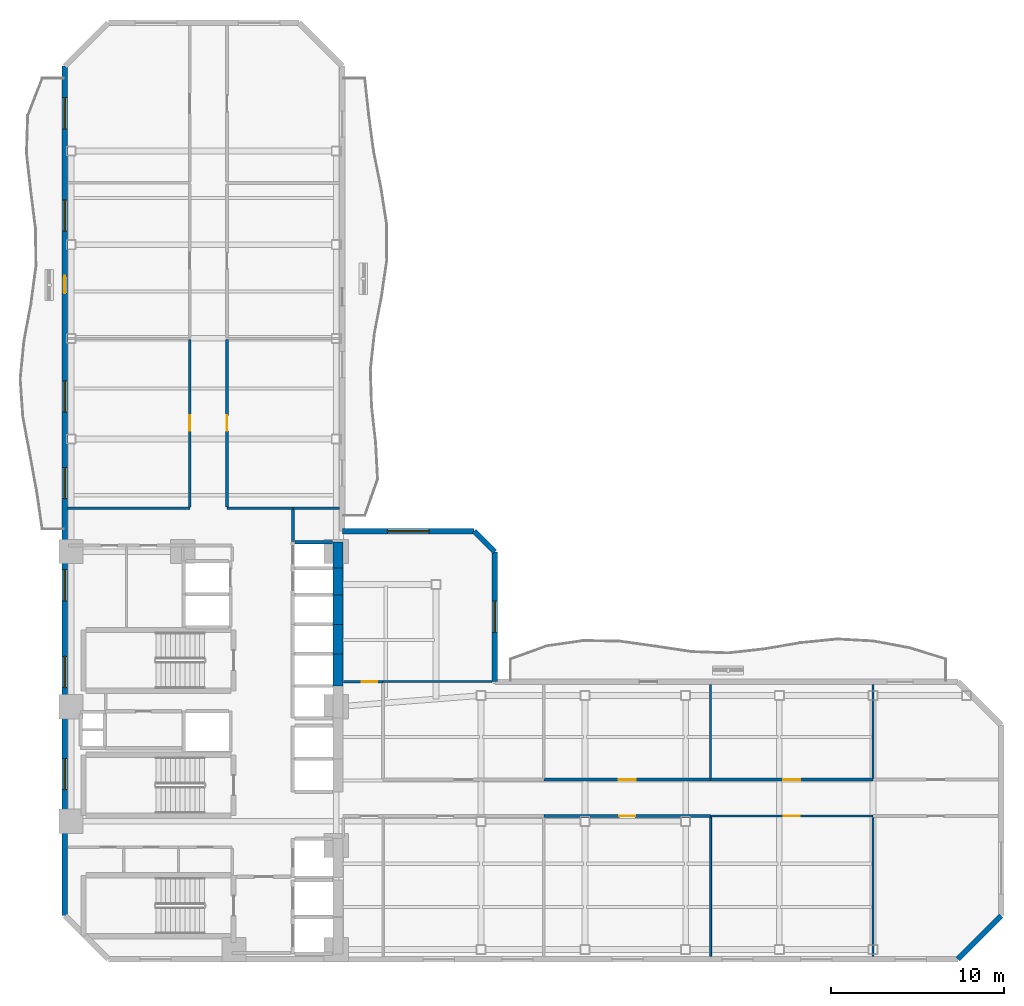
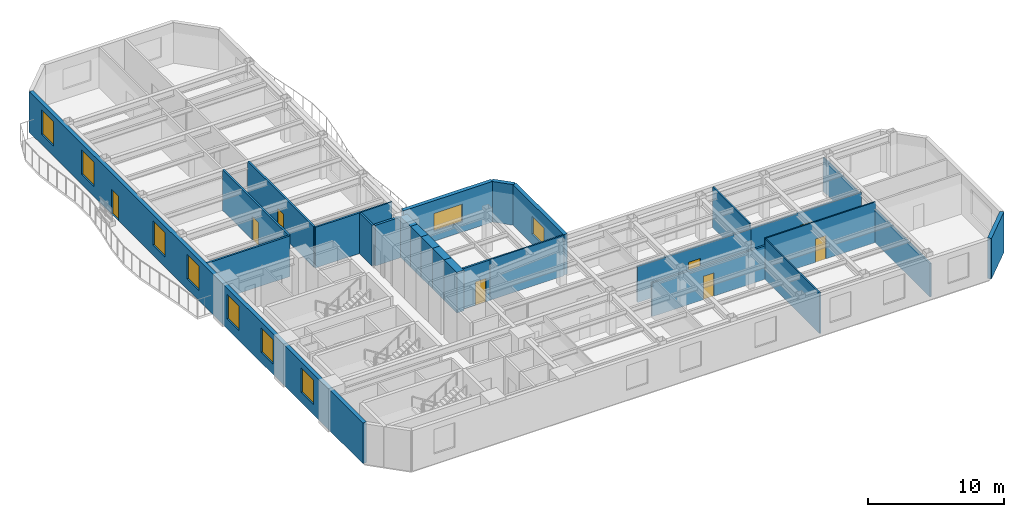
# One storey, part 5 of 10: 27 walls, 9 windows, 8 doors, 17 openings.
"""IFC4 building model written with IfcOpenShell, lengths in metres."""

from ifc_helpers import new_model, si_unit, direction, frame, frame_2d, origin, place, context, subcontext, project, spatial, rectangle, extrude, material, layer, layer_set, type_object, element, fill, save


model = new_model("IFC4")

# Units and contexts
model_context = context("Model", 3, precision=1e-05, world=origin(), true_north=direction((0.0, 1.0)))
body_context = subcontext(model_context, "Body", "Model", "MODEL_VIEW")
ifc_project = project(units=[si_unit("LENGTHUNIT", "METRE"), si_unit("AREAUNIT", "SQUARE_METRE"), si_unit("VOLUMEUNIT", "CUBIC_METRE"), si_unit("PLANEANGLEUNIT", "RADIAN"), si_unit("MASSUNIT", "GRAM", prefix="KILO")], contexts=[model_context])

# Site, building, storey
site_placement = place(None, origin())
site = spatial("IfcSite", under=ifc_project, at=site_placement, CompositionType="ELEMENT")
building_placement = place(site_placement, origin())
building = spatial("IfcBuilding", under=site, at=building_placement, Name="Mawjaban Terraces University", CompositionType="ELEMENT")
storey_placement = place(building_placement, frame((0.0, 0.0, 89.5)))
storey = spatial("IfcBuildingStorey", under=building, at=storey_placement, Name="L21", CompositionType="ELEMENT", Elevation=89.5)

# Walls
ifc_material_1 = material(Name="Concrete C70/85", Category="concrete")
ifc_layer_1 = layer(ifc_material_1, 0.60009765625)
ifc_layer_set_1 = layer_set([ifc_layer_1], Name="Concrete C70/85")
wall_type_1 = type_object("IfcWallType", Name="CoreShearWall_600", PredefinedType="SHEAR", material=ifc_layer_set_1)
wall_1_placement = place(storey_placement, frame((37.75, 15.75, 0.0), z_axis=(0.0, 0.0, 1.0), x_axis=(0.0, 1.0, 0.0)))
element("IfcWall", 1, at=wall_1_placement, inside=storey, type_object=wall_type_1, Name="L21 Lift OL-2 Hoistway Wall East", PredefinedType="SHEAR", context=body_context, shape_type="SweptSolid", body=[
    extrude(rectangle(XDim=1.85009765625, YDim=0.60009765625, at=frame_2d((0.925048828125, 0.0))), origin(), (0.0, 0.0, 1.0), 3.639892578125),
])
for number, where, z_axis, x_axis, name in (
    (2, (37.75, 17.60009765625, 0.0), (0.0, 0.0, 1.0), (0.0, 1.0, 0.0), "L21 Lift PL-M1 Hoistway Wall East"),
    (3, (37.75, 19.300048828125, 0.0), (0.0, 0.0, 1.0), (0.0, 1.0, 0.0), "L21 Lift PL-M2 Hoistway Wall East"),
):
    element("IfcWall", number, at=place(storey_placement, frame(where, z_axis=z_axis, x_axis=x_axis)), inside=storey, type_object=wall_type_1, Name=name, PredefinedType="SHEAR", context=body_context, shape_type="SweptSolid", body=[
        extrude(rectangle(XDim=1.699951171875, YDim=0.60009765625, at=frame_2d((0.85009765625, 0.0))), origin(), (0.0, 0.0, 1.0), 3.639892578125),
    ])
wall_2_placement = place(storey_placement, frame((37.75, 21.0, 0.0), z_axis=(0.0, 0.0, 1.0), x_axis=(0.0, 1.0, 0.0)))
element("IfcWall", 4, at=wall_2_placement, inside=storey, type_object=wall_type_1, Name="L21 Lift PL-L1 Hoistway Wall East", PredefinedType="SHEAR", context=body_context, shape_type="SweptSolid", body=[
    extrude(rectangle(XDim=1.550048828125, YDim=0.60009765625, at=frame_2d((0.77490234375, 0.0))), origin(), (0.0, 0.0, 1.0), 3.639892578125),
])
wall_3_placement = place(storey_placement, frame((37.75, 22.550048828125, 0.0), z_axis=(0.0, 0.0, 1.0), x_axis=(0.0, 1.0, 0.0)))
element("IfcWall", 5, at=wall_3_placement, inside=storey, type_object=wall_type_1, Name="L21 Lift PL-L2 Hoistway Wall East", PredefinedType="SHEAR", context=body_context, shape_type="SweptSolid", body=[
    extrude(rectangle(XDim=1.5, YDim=0.60009765625, at=frame_2d((0.75, 0.0))), origin(), (0.0, 0.0, 1.0), 3.639892578125),
])
ifc_material_2 = material(Name="Fire-rated gypsum board on steel stud", Category="steel")
ifc_layer_2 = layer(ifc_material_2, 0.159912109375)
ifc_layer_set_2 = layer_set([ifc_layer_2], Name="Fire-rated gypsum board on steel stud")
wall_type_2 = type_object("IfcWallType", Name="CorridorPartition_160", PredefinedType="PARTITIONING", material=ifc_layer_set_2)
wall_4_placement = place(storey_placement, frame((29.199951171875, 26.0, 0.0), z_axis=(0.0, 0.0, 1.0), x_axis=(-1.0, 0.0, 0.0)))
element("IfcWall", 6, at=wall_4_placement, inside=storey, type_object=wall_type_2, Name="L21 North Core Cross-Corridor Partition 9", PredefinedType="PARTITIONING", context=body_context, shape_type="SweptSolid", body=[
    extrude(rectangle(XDim=7.044921875, YDim=0.159912109375, at=frame_2d((3.5224609375, 0.0))), origin(), (0.0, 0.0, 1.0), 3.639892578125),
])
wall_5_placement = place(storey_placement, frame((35.14990234375, 26.0, 0.0), z_axis=(0.0, 0.0, 1.0), x_axis=(-1.0, 0.0, 0.0)))
element("IfcWall", 7, at=wall_5_placement, inside=storey, type_object=wall_type_2, Name="L21 North Core Cross-Corridor Partition 14", PredefinedType="PARTITIONING", context=body_context, shape_type="SweptSolid", body=[
    extrude(rectangle(XDim=3.7998046875, YDim=0.159912109375, at=frame_2d((1.89990234375, 0.0))), origin(), (0.0, 0.0, 1.0), 3.639892578125),
])

# Wall, opening, door
wall_6_placement = place(storey_placement, frame((40.35009765625, 16.0, 0.0), z_axis=(0.0, 0.0, 1.0), x_axis=(-1.0, 0.0, 0.0)))
wall_6 = element("IfcWall", 8, at=wall_6_placement, inside=storey, type_object=wall_type_2, Name="L21 East Academic Corridor Vestibule Partition 21", PredefinedType="PARTITIONING", context=body_context, shape_type="SweptSolid", body=[
    extrude(rectangle(XDim=2.27001953125, YDim=0.159912109375, at=frame_2d((1.135009765625, 0.0))), origin(), (0.0, 0.0, 1.0), 3.639892578125),
])
opening_1_placement = place(wall_6_placement, frame((0.3349609375, 0.0, 0.0)))
opening_1 = element("IfcOpeningElement", 9, at=opening_1_placement, cuts=wall_6, Name="Opening ID-090", PredefinedType="OPENING", context=body_context, shape_type="SweptSolid", body=[
    extrude(rectangle(XDim=0.89990234375, YDim=2.10009765625, at=frame_2d((0.449951171875, 1.050048828125))), frame((0.0, 0.08984375, 0.0), z_axis=(0.0, -1.0, 0.0), x_axis=(1.0, 0.0, 0.0)), (0.0, 0.0, 1.0), 0.179931640625),
])
ifc_material_3 = material(Name="Powder-coated steel frame and solid acoustic timber leaf", Category="steel")
door_type_1 = type_object("IfcDoorType", Name="OfficeDoor_900x2100", OperationType="NOTDEFINED", PredefinedType="DOOR", material=ifc_material_3)
door_1_placement = place(opening_1_placement, origin())
door_1 = element("IfcDoor", 10, at=door_1_placement, inside=storey, type_object=door_type_1, Name="L21 Terrace Collaborative Study Room Door", OperationType="SINGLE_SWING_RIGHT", OverallHeight=2.10009765625, OverallWidth=0.89990234375, PredefinedType="DOOR", context=body_context, shape_type="SweptSolid", body=[
    extrude(rectangle(XDim=0.89990234375, YDim=2.10009765625, at=frame_2d((0.449951171875, 1.050048828125))), frame((0.0, 0.02490234375, 0.0), z_axis=(0.0, -1.0, 0.0), x_axis=(1.0, 0.0, 0.0)), (0.0, 0.0, 1.0), 0.050048828125),
])
fill(opening_1, door_1)

wall_7_placement = place(storey_placement, frame((49.6201171875, 8.25, 0.0), z_axis=(0.0, 0.0, 1.0), x_axis=(1.0, 0.0, 0.0)))
wall_7 = element("IfcWall", 11, at=wall_7_placement, inside=storey, type_object=wall_type_2, Name="L21 East Academic Spine Corridor Partition 22", PredefinedType="PARTITIONING", context=body_context, shape_type="SweptSolid", body=[
    extrude(rectangle(XDim=9.619873046875, YDim=0.159912109375, at=frame_2d((4.81005859375, 0.0))), origin(), (0.0, 0.0, 1.0), 3.0048828125),
])
opening_2_placement = place(wall_7_placement, frame((4.360107421875, 0.0, 0.0)))
opening_2 = element("IfcOpeningElement", 12, at=opening_2_placement, cuts=wall_7, Name="Opening ID-090", PredefinedType="OPENING", context=body_context, shape_type="SweptSolid", body=[
    extrude(rectangle(XDim=0.89990234375, YDim=2.10009765625, at=frame_2d((0.449951171875, 1.050048828125))), frame((0.0, 0.08984375, 0.0), z_axis=(0.0, -1.0, 0.0), x_axis=(1.0, 0.0, 0.0)), (0.0, 0.0, 1.0), 0.179931640625),
])
door_2_placement = place(opening_2_placement, origin())
door_2 = element("IfcDoor", 13, at=door_2_placement, inside=storey, type_object=door_type_1, Name="L21 Seminar Room 4 Door", OperationType="SINGLE_SWING_RIGHT", OverallHeight=2.10009765625, OverallWidth=0.89990234375, PredefinedType="DOOR", context=body_context, shape_type="SweptSolid", body=[
    extrude(rectangle(XDim=0.89990234375, YDim=2.10009765625, at=frame_2d((0.449951171875, 1.050048828125))), frame((0.0, 0.02490234375, 0.0), z_axis=(0.0, -1.0, 0.0), x_axis=(1.0, 0.0, 0.0)), (0.0, 0.0, 1.0), 0.050048828125),
])
fill(opening_2, door_2)

wall_8_placement = place(storey_placement, frame((59.239990234375, 10.35009765625, 0.0), z_axis=(0.0, 0.0, 1.0), x_axis=(-1.0, 0.0, 0.0)))
wall_8 = element("IfcWall", 14, at=wall_8_placement, inside=storey, type_object=wall_type_2, Name="L21 East Academic Spine Corridor Partition 25", PredefinedType="PARTITIONING", context=body_context, shape_type="SweptSolid", body=[
    extrude(rectangle(XDim=9.619873046875, YDim=0.159912109375, at=frame_2d((4.81005859375, 0.0))), origin(), (0.0, 0.0, 1.0), 3.22705078125),
])
opening_3_placement = place(wall_8_placement, frame((4.31005859375, 0.0, 0.0)))
opening_3 = element("IfcOpeningElement", 15, at=opening_3_placement, cuts=wall_8, Name="Opening ID-100", PredefinedType="OPENING", context=body_context, shape_type="SweptSolid", body=[
    extrude(rectangle(XDim=1.0, YDim=2.10009765625, at=frame_2d((0.5, 1.050048828125))), frame((0.0, 0.08984375, 0.0), z_axis=(0.0, -1.0, 0.0), x_axis=(1.0, 0.0, 0.0)), (0.0, 0.0, 1.0), 0.179931640625),
])
door_type_2 = type_object("IfcDoorType", Name="ClassroomDoor_1000x2100", OperationType="NOTDEFINED", PredefinedType="DOOR", material=ifc_material_3)
door_3_placement = place(opening_3_placement, origin())
door_3 = element("IfcDoor", 16, at=door_3_placement, inside=storey, type_object=door_type_2, Name="L21 Tutorial Room 5 Door", OperationType="SINGLE_SWING_LEFT", OverallHeight=2.10009765625, OverallWidth=1.0, PredefinedType="DOOR", context=body_context, shape_type="SweptSolid", body=[
    extrude(rectangle(XDim=1.0, YDim=2.10009765625, at=frame_2d((0.5, 1.050048828125))), frame((0.0, 0.02490234375, 0.0), z_axis=(0.0, -1.0, 0.0), x_axis=(1.0, 0.0, 0.0)), (0.0, 0.0, 1.0), 0.050048828125),
])
fill(opening_3, door_3)

wall_9_placement = place(storey_placement, frame((68.60009765625, 10.35009765625, 0.0), z_axis=(0.0, 0.0, 1.0), x_axis=(-1.0, 0.0, 0.0)))
wall_9 = element("IfcWall", 17, at=wall_9_placement, inside=storey, type_object=wall_type_2, Name="L21 East Academic Spine Corridor Partition 27", PredefinedType="PARTITIONING", context=body_context, shape_type="SweptSolid", body=[
    extrude(rectangle(XDim=9.360107421875, YDim=0.159912109375, at=frame_2d((4.68017578125, 0.0))), origin(), (0.0, 0.0, 1.0), 3.22705078125),
])
opening_4_placement = place(wall_9_placement, frame((4.179931640625, 0.0, 0.0)))
opening_4 = element("IfcOpeningElement", 18, at=opening_4_placement, cuts=wall_9, Name="Opening ID-100", PredefinedType="OPENING", context=body_context, shape_type="SweptSolid", body=[
    extrude(rectangle(XDim=1.0, YDim=2.10009765625, at=frame_2d((0.5, 1.050048828125))), frame((0.0, 0.08984375, 0.0), z_axis=(0.0, -1.0, 0.0), x_axis=(1.0, 0.0, 0.0)), (0.0, 0.0, 1.0), 0.179931640625),
])
door_4_placement = place(opening_4_placement, origin())
door_4 = element("IfcDoor", 19, at=door_4_placement, inside=storey, type_object=door_type_2, Name="L21 Classroom 7 Door", OperationType="SINGLE_SWING_LEFT", OverallHeight=2.10009765625, OverallWidth=1.0, PredefinedType="DOOR", context=body_context, shape_type="SweptSolid", body=[
    extrude(rectangle(XDim=1.0, YDim=2.10009765625, at=frame_2d((0.5, 1.050048828125))), frame((0.0, 0.02490234375, 0.0), z_axis=(0.0, -1.0, 0.0), x_axis=(1.0, 0.0, 0.0)), (0.0, 0.0, 1.0), 0.050048828125),
])
fill(opening_4, door_4)

wall_10_placement = place(storey_placement, frame((29.199951171875, 35.741943359375, 0.0), z_axis=(0.0, 0.0, 1.0), x_axis=(0.0, -1.0, 0.0)))
wall_10 = element("IfcWall", 20, at=wall_10_placement, inside=storey, type_object=wall_type_2, Name="L21 North Academic Spine Corridor Partition 34", PredefinedType="PARTITIONING", context=body_context, shape_type="SweptSolid", body=[
    extrude(rectangle(XDim=9.6669921875, YDim=0.159912109375, at=frame_2d((4.83349609375, 0.0))), origin(), (0.0, 0.0, 1.0), 3.639892578125),
])
opening_5_placement = place(wall_10_placement, frame((4.383056640625, 0.0, 0.0)))
opening_5 = element("IfcOpeningElement", 21, at=opening_5_placement, cuts=wall_10, Name="Opening ID-090", PredefinedType="OPENING", context=body_context, shape_type="SweptSolid", body=[
    extrude(rectangle(XDim=0.89990234375, YDim=2.10009765625, at=frame_2d((0.449951171875, 1.050048828125))), frame((0.0, 0.08984375, 0.0), z_axis=(0.0, -1.0, 0.0), x_axis=(1.0, 0.0, 0.0)), (0.0, 0.0, 1.0), 0.179931640625),
])
door_5_placement = place(opening_5_placement, origin())
door_5 = element("IfcDoor", 22, at=door_5_placement, inside=storey, type_object=door_type_1, Name="L21 Student Tea Pantry 10 Door", OperationType="SINGLE_SWING_RIGHT", OverallHeight=2.10009765625, OverallWidth=0.89990234375, PredefinedType="DOOR", context=body_context, shape_type="SweptSolid", body=[
    extrude(rectangle(XDim=0.89990234375, YDim=2.10009765625, at=frame_2d((0.449951171875, 1.050048828125))), frame((0.0, 0.02490234375, 0.0), z_axis=(0.0, -1.0, 0.0), x_axis=(1.0, 0.0, 0.0)), (0.0, 0.0, 1.0), 0.050048828125),
])
fill(opening_5, door_5)

wall_11_placement = place(storey_placement, frame((31.35009765625, 26.074951171875, 0.0), z_axis=(0.0, 0.0, 1.0), x_axis=(0.0, 1.0, 0.0)))
wall_11 = element("IfcWall", 23, at=wall_11_placement, inside=storey, type_object=wall_type_2, Name="L21 North Academic Spine Corridor Partition 37", PredefinedType="PARTITIONING", context=body_context, shape_type="SweptSolid", body=[
    extrude(rectangle(XDim=9.6669921875, YDim=0.159912109375, at=frame_2d((4.83349609375, 0.0))), origin(), (0.0, 0.0, 1.0), 3.639892578125),
])
opening_6_placement = place(wall_11_placement, frame((4.383056640625, 0.0, 0.0)))
opening_6 = element("IfcOpeningElement", 24, at=opening_6_placement, cuts=wall_11, Name="Opening ID-090", PredefinedType="OPENING", context=body_context, shape_type="SweptSolid", body=[
    extrude(rectangle(XDim=0.89990234375, YDim=2.10009765625, at=frame_2d((0.449951171875, 1.050048828125))), frame((0.0, 0.08984375, 0.0), z_axis=(0.0, -1.0, 0.0), x_axis=(1.0, 0.0, 0.0)), (0.0, 0.0, 1.0), 0.179931640625),
])
door_6_placement = place(opening_6_placement, origin())
door_6 = element("IfcDoor", 25, at=door_6_placement, inside=storey, type_object=door_type_1, Name="L21 Student Tea Pantry 11 Door", OperationType="SINGLE_SWING_LEFT", OverallHeight=2.10009765625, OverallWidth=0.89990234375, PredefinedType="DOOR", context=body_context, shape_type="SweptSolid", body=[
    extrude(rectangle(XDim=0.89990234375, YDim=2.10009765625, at=frame_2d((0.449951171875, 1.050048828125))), frame((0.0, 0.02490234375, 0.0), z_axis=(0.0, -1.0, 0.0), x_axis=(1.0, 0.0, 0.0)), (0.0, 0.0, 1.0), 0.050048828125),
])
fill(opening_6, door_6)

# Walls
wall_12_placement = place(storey_placement, frame((35.14990234375, 24.070068359375, 0.0), z_axis=(0.0, 0.0, 1.0), x_axis=(0.0, 1.0, 0.0)))
element("IfcWall", 26, at=wall_12_placement, inside=storey, type_object=wall_type_2, Name="L21 North Core Cross-Corridor Partition 42", PredefinedType="PARTITIONING", context=body_context, shape_type="SweptSolid", body=[
    extrude(rectangle(XDim=1.85498046875, YDim=0.159912109375, at=frame_2d((0.927490234375, 0.0))), origin(), (0.0, 0.0, 1.0), 3.639892578125),
])
ifc_material_4 = material(Name="Insulated terracotta rainscreen on concrete backup C40/50", Category="masonry")
ifc_layer_3 = layer(ifc_material_4, 0.320068359375)
ifc_layer_set_3 = layer_set([ifc_layer_3], Name="Insulated terracotta rainscreen on concrete backup C40/50")
wall_type_3 = type_object("IfcWallType", Name="ExtTerracottaWall_320", PredefinedType="SOLIDWALL", material=ifc_layer_set_3)
wall_13_placement = place(storey_placement, frame((73.5, 0.0, 0.0), z_axis=(0.0, 0.0, 1.0), x_axis=(0.707106781187, 0.707106781187, 0.0)))
element("IfcWall", 27, at=wall_13_placement, inside=storey, type_object=wall_type_3, Name="L21 Exterior Terracotta Wall 2", PredefinedType="SOLIDWALL", context=body_context, shape_type="SweptSolid", body=[
    extrude(rectangle(XDim=3.53564453125, YDim=0.320068359375, at=frame_2d((1.767822265625, 0.0))), origin(), (0.0, 0.0, 1.0), 3.639892578125),
])

# Wall, opening, window
wall_14_placement = place(storey_placement, frame((46.800048828125, 16.0, 0.0), z_axis=(0.0, 0.0, 1.0), x_axis=(0.0, 1.0, 0.0)))
wall_14 = element("IfcWall", 28, at=wall_14_placement, inside=storey, type_object=wall_type_3, Name="L21 Exterior Terracotta Wall 6", PredefinedType="SOLIDWALL", context=body_context, shape_type="SweptSolid", body=[
    extrude(rectangle(XDim=7.485107421875, YDim=0.320068359375, at=frame_2d((3.74267578125, 0.0))), origin(), (0.0, 0.0, 1.0), 3.639892578125),
])
opening_7_placement = place(wall_14_placement, frame((2.842041015625, 0.0, 0.89990234375)))
opening_7 = element("IfcOpeningElement", 29, at=opening_7_placement, cuts=wall_14, Name="Opening W-03", PredefinedType="OPENING", context=body_context, shape_type="SweptSolid", body=[
    extrude(rectangle(XDim=1.800048828125, YDim=1.60009765625, at=frame_2d((0.89990234375, 0.800048828125))), frame((0.0, 0.169921875, 0.0), z_axis=(0.0, -1.0, 0.0), x_axis=(1.0, 0.0, 0.0)), (0.0, 0.0, 1.0), 0.340087890625),
])
ifc_material_5 = material(Name="Low-E solar-control double glazing in thermally broken aluminium frame", Category="aluminium")
window_type_1 = type_object("IfcWindowType", Name="Win_1800x1600", PartitioningType="SINGLE_PANEL", PredefinedType="WINDOW", material=ifc_material_5)
window_1_placement = place(opening_7_placement, origin())
window_1 = element("IfcWindow", 30, at=window_1_placement, inside=storey, type_object=window_type_1, Name="L21 Facade Window 6.1", OverallHeight=1.60009765625, OverallWidth=1.800048828125, PartitioningType="SINGLE_PANEL", PredefinedType="WINDOW", context=body_context, shape_type="SweptSolid", body=[
    extrude(rectangle(XDim=1.800048828125, YDim=1.60009765625, at=frame_2d((0.89990234375, 0.800048828125))), frame((0.0, 0.030029296875, 0.0), z_axis=(0.0, -1.0, 0.0), x_axis=(1.0, 0.0, 0.0)), (0.0, 0.0, 1.0), 0.06005859375),
])
fill(opening_7, window_1)

# Wall
wall_15_placement = place(storey_placement, frame((46.800048828125, 23.485107421875, 0.0), z_axis=(0.0, 0.0, 1.0), x_axis=(-0.707106781187, 0.707106781187, 0.0)))
element("IfcWall", 31, at=wall_15_placement, inside=storey, type_object=wall_type_3, Name="L21 Exterior Terracotta Wall 7", PredefinedType="SOLIDWALL", context=body_context, shape_type="SweptSolid", body=[
    extrude(rectangle(XDim=1.697021484375, YDim=0.320068359375, at=frame_2d((0.8486328125, 0.0))), origin(), (0.0, 0.0, 1.0), 3.639892578125),
])

# Wall, opening, window
wall_16_placement = place(storey_placement, frame((45.60009765625, 24.68505859375, 0.0), z_axis=(0.0, 0.0, 1.0), x_axis=(-1.0, 0.0, 0.0)))
wall_16 = element("IfcWall", 32, at=wall_16_placement, inside=storey, type_object=wall_type_3, Name="L21 Exterior Terracotta Wall 8", PredefinedType="SOLIDWALL", context=body_context, shape_type="SweptSolid", body=[
    extrude(rectangle(XDim=7.60009765625, YDim=0.320068359375, at=frame_2d((3.800048828125, 0.0))), origin(), (0.0, 0.0, 1.0), 3.639892578125),
])
opening_8_placement = place(wall_16_placement, frame((2.60009765625, 0.0, 0.89990234375)))
opening_8 = element("IfcOpeningElement", 33, at=opening_8_placement, cuts=wall_16, Name="Opening W-05", PredefinedType="OPENING", context=body_context, shape_type="SweptSolid", body=[
    extrude(rectangle(XDim=2.39990234375, YDim=1.60009765625, at=frame_2d((1.199951171875, 0.800048828125))), frame((0.0, 0.169921875, 0.0), z_axis=(0.0, -1.0, 0.0), x_axis=(1.0, 0.0, 0.0)), (0.0, 0.0, 1.0), 0.340087890625),
])
window_type_2 = type_object("IfcWindowType", Name="Win_2400x1600", PartitioningType="SINGLE_PANEL", PredefinedType="WINDOW", material=ifc_material_5)
window_2_placement = place(opening_8_placement, origin())
window_2 = element("IfcWindow", 34, at=window_2_placement, inside=storey, type_object=window_type_2, Name="L21 Facade Window 8.1", OverallHeight=1.60009765625, OverallWidth=2.39990234375, PartitioningType="SINGLE_PANEL", PredefinedType="WINDOW", context=body_context, shape_type="SweptSolid", body=[
    extrude(rectangle(XDim=2.39990234375, YDim=1.60009765625, at=frame_2d((1.199951171875, 0.800048828125))), frame((0.0, 0.030029296875, 0.0), z_axis=(0.0, -1.0, 0.0), x_axis=(1.0, 0.0, 0.0)), (0.0, 0.0, 1.0), 0.06005859375),
])
fill(opening_8, window_2)

# Wall, openings, door, windows
wall_17_placement = place(storey_placement, frame((22.0, 51.5, 0.0), z_axis=(0.0, 0.0, 1.0), x_axis=(0.0, -1.0, 0.0)))
wall_17 = element("IfcWall", 35, at=wall_17_placement, inside=storey, type_object=wall_type_3, Name="L21 Exterior Terracotta Wall 13", PredefinedType="SOLIDWALL", context=body_context, shape_type="SweptSolid", body=[
    extrude(rectangle(XDim=49.0, YDim=0.320068359375, at=frame_2d((24.5, 0.0))), origin(), (0.0, 0.0, 1.0), 3.639892578125),
])
opening_9_placement = place(wall_17_placement, frame((12.10009765625, 0.0, 0.0)))
opening_9 = element("IfcOpeningElement", 36, at=opening_9_placement, cuts=wall_17, Name="Opening BD-100", PredefinedType="OPENING", context=body_context, shape_type="SweptSolid", body=[
    extrude(rectangle(XDim=1.0, YDim=2.199951171875, at=frame_2d((0.5, 1.10009765625))), frame((0.0, 0.169921875, 0.0), z_axis=(0.0, -1.0, 0.0), x_axis=(1.0, 0.0, 0.0)), (0.0, 0.0, 1.0), 0.340087890625),
])
opening_10_placement = place(wall_17_placement, frame((1.822021484375, 0.0, 0.89990234375)))
opening_10 = element("IfcOpeningElement", 37, at=opening_10_placement, cuts=wall_17, Name="Opening W-10", PredefinedType="OPENING", context=body_context, shape_type="SweptSolid", body=[
    extrude(rectangle(XDim=1.800048828125, YDim=2.199951171875, at=frame_2d((0.89990234375, 1.10009765625))), frame((0.0, 0.169921875, 0.0), z_axis=(0.0, -1.0, 0.0), x_axis=(1.0, 0.0, 0.0)), (0.0, 0.0, 1.0), 0.340087890625),
])
opening_11_placement = place(wall_17_placement, frame((7.717041015625, 0.0, 0.89990234375)))
opening_11 = element("IfcOpeningElement", 38, at=opening_11_placement, cuts=wall_17, Name="Opening W-10", PredefinedType="OPENING", context=body_context, shape_type="SweptSolid", body=[
    extrude(rectangle(XDim=1.800048828125, YDim=2.199951171875, at=frame_2d((0.89990234375, 1.10009765625))), frame((0.0, 0.169921875, 0.0), z_axis=(0.0, -1.0, 0.0), x_axis=(1.0, 0.0, 0.0)), (0.0, 0.0, 1.0), 0.340087890625),
])
opening_12_placement = place(wall_17_placement, frame((18.156005859375, 0.0, 0.89990234375)))
opening_12 = element("IfcOpeningElement", 39, at=opening_12_placement, cuts=wall_17, Name="Opening W-10", PredefinedType="OPENING", context=body_context, shape_type="SweptSolid", body=[
    extrude(rectangle(XDim=1.800048828125, YDim=2.199951171875, at=frame_2d((0.89990234375, 1.10009765625))), frame((0.0, 0.169921875, 0.0), z_axis=(0.0, -1.0, 0.0), x_axis=(1.0, 0.0, 0.0)), (0.0, 0.0, 1.0), 0.340087890625),
])
opening_13_placement = place(wall_17_placement, frame((23.14990234375, 0.0, 0.89990234375)))
opening_13 = element("IfcOpeningElement", 40, at=opening_13_placement, cuts=wall_17, Name="Opening W-10", PredefinedType="OPENING", context=body_context, shape_type="SweptSolid", body=[
    extrude(rectangle(XDim=1.800048828125, YDim=2.199951171875, at=frame_2d((0.89990234375, 1.10009765625))), frame((0.0, 0.169921875, 0.0), z_axis=(0.0, -1.0, 0.0), x_axis=(1.0, 0.0, 0.0)), (0.0, 0.0, 1.0), 0.340087890625),
])
opening_14_placement = place(wall_17_placement, frame((29.0439453125, 0.0, 0.89990234375)))
opening_14 = element("IfcOpeningElement", 41, at=opening_14_placement, cuts=wall_17, Name="Opening W-10", PredefinedType="OPENING", context=body_context, shape_type="SweptSolid", body=[
    extrude(rectangle(XDim=1.800048828125, YDim=2.199951171875, at=frame_2d((0.89990234375, 1.10009765625))), frame((0.0, 0.169921875, 0.0), z_axis=(0.0, -1.0, 0.0), x_axis=(1.0, 0.0, 0.0)), (0.0, 0.0, 1.0), 0.340087890625),
])
opening_15_placement = place(wall_17_placement, frame((34.0390625, 0.0, 0.89990234375)))
opening_15 = element("IfcOpeningElement", 42, at=opening_15_placement, cuts=wall_17, Name="Opening W-10", PredefinedType="OPENING", context=body_context, shape_type="SweptSolid", body=[
    extrude(rectangle(XDim=1.800048828125, YDim=2.199951171875, at=frame_2d((0.89990234375, 1.10009765625))), frame((0.0, 0.169921875, 0.0), z_axis=(0.0, -1.0, 0.0), x_axis=(1.0, 0.0, 0.0)), (0.0, 0.0, 1.0), 0.340087890625),
])
opening_16_placement = place(wall_17_placement, frame((39.93310546875, 0.0, 0.89990234375)))
opening_16 = element("IfcOpeningElement", 43, at=opening_16_placement, cuts=wall_17, Name="Opening W-10", PredefinedType="OPENING", context=body_context, shape_type="SweptSolid", body=[
    extrude(rectangle(XDim=1.800048828125, YDim=2.199951171875, at=frame_2d((0.89990234375, 1.10009765625))), frame((0.0, 0.169921875, 0.0), z_axis=(0.0, -1.0, 0.0), x_axis=(1.0, 0.0, 0.0)), (0.0, 0.0, 1.0), 0.340087890625),
])
ifc_material_6 = material(Name="Thermally broken anodised aluminium and laminated safety glass", Category="aluminium")
door_type_3 = type_object("IfcDoorType", Name="BalconyGlazedDoor_1000x2200", OperationType="NOTDEFINED", PredefinedType="DOOR", material=ifc_material_6)
door_7_placement = place(opening_9_placement, origin())
door_7 = element("IfcDoor", 44, at=door_7_placement, inside=storey, type_object=door_type_3, Name="L21 Balcony Access Door west", OperationType="SINGLE_SWING_RIGHT", OverallHeight=2.199951171875, OverallWidth=1.0, PredefinedType="DOOR", context=body_context, shape_type="SweptSolid", body=[
    extrude(rectangle(XDim=1.0, YDim=2.199951171875, at=frame_2d((0.5, 1.10009765625))), frame((0.0, 0.02490234375, 0.0), z_axis=(0.0, -1.0, 0.0), x_axis=(1.0, 0.0, 0.0)), (0.0, 0.0, 1.0), 0.050048828125),
])
fill(opening_9, door_7)
window_type_3 = type_object("IfcWindowType", Name="Win_1800x2200", PartitioningType="SINGLE_PANEL", PredefinedType="WINDOW", material=ifc_material_5)
window_3_placement = place(opening_10_placement, origin())
window_3 = element("IfcWindow", 45, at=window_3_placement, inside=storey, type_object=window_type_3, Name="L21 Facade Window 13.1", OverallHeight=2.199951171875, OverallWidth=1.800048828125, PartitioningType="SINGLE_PANEL", PredefinedType="WINDOW", context=body_context, shape_type="SweptSolid", body=[
    extrude(rectangle(XDim=1.800048828125, YDim=2.199951171875, at=frame_2d((0.89990234375, 1.10009765625))), frame((0.0, 0.030029296875, 0.0), z_axis=(0.0, -1.0, 0.0), x_axis=(1.0, 0.0, 0.0)), (0.0, 0.0, 1.0), 0.06005859375),
])
fill(opening_10, window_3)
window_4_placement = place(opening_11_placement, origin())
window_4 = element("IfcWindow", 46, at=window_4_placement, inside=storey, type_object=window_type_3, Name="L21 Facade Window 13.2", OverallHeight=2.199951171875, OverallWidth=1.800048828125, PartitioningType="SINGLE_PANEL", PredefinedType="WINDOW", context=body_context, shape_type="SweptSolid", body=[
    extrude(rectangle(XDim=1.800048828125, YDim=2.199951171875, at=frame_2d((0.89990234375, 1.10009765625))), frame((0.0, 0.030029296875, 0.0), z_axis=(0.0, -1.0, 0.0), x_axis=(1.0, 0.0, 0.0)), (0.0, 0.0, 1.0), 0.06005859375),
])
fill(opening_11, window_4)
window_5_placement = place(opening_12_placement, origin())
window_5 = element("IfcWindow", 47, at=window_5_placement, inside=storey, type_object=window_type_3, Name="L21 Facade Window 13.4", OverallHeight=2.199951171875, OverallWidth=1.800048828125, PartitioningType="SINGLE_PANEL", PredefinedType="WINDOW", context=body_context, shape_type="SweptSolid", body=[
    extrude(rectangle(XDim=1.800048828125, YDim=2.199951171875, at=frame_2d((0.89990234375, 1.10009765625))), frame((0.0, 0.030029296875, 0.0), z_axis=(0.0, -1.0, 0.0), x_axis=(1.0, 0.0, 0.0)), (0.0, 0.0, 1.0), 0.06005859375),
])
fill(opening_12, window_5)
window_6_placement = place(opening_13_placement, origin())
window_6 = element("IfcWindow", 48, at=window_6_placement, inside=storey, type_object=window_type_3, Name="L21 Facade Window 13.5", OverallHeight=2.199951171875, OverallWidth=1.800048828125, PartitioningType="SINGLE_PANEL", PredefinedType="WINDOW", context=body_context, shape_type="SweptSolid", body=[
    extrude(rectangle(XDim=1.800048828125, YDim=2.199951171875, at=frame_2d((0.89990234375, 1.10009765625))), frame((0.0, 0.030029296875, 0.0), z_axis=(0.0, -1.0, 0.0), x_axis=(1.0, 0.0, 0.0)), (0.0, 0.0, 1.0), 0.06005859375),
])
fill(opening_13, window_6)
window_7_placement = place(opening_14_placement, origin())
window_7 = element("IfcWindow", 49, at=window_7_placement, inside=storey, type_object=window_type_3, Name="L21 Facade Window 13.6", OverallHeight=2.199951171875, OverallWidth=1.800048828125, PartitioningType="SINGLE_PANEL", PredefinedType="WINDOW", context=body_context, shape_type="SweptSolid", body=[
    extrude(rectangle(XDim=1.800048828125, YDim=2.199951171875, at=frame_2d((0.89990234375, 1.10009765625))), frame((0.0, 0.030029296875, 0.0), z_axis=(0.0, -1.0, 0.0), x_axis=(1.0, 0.0, 0.0)), (0.0, 0.0, 1.0), 0.06005859375),
])
fill(opening_14, window_7)
window_8_placement = place(opening_15_placement, origin())
window_8 = element("IfcWindow", 50, at=window_8_placement, inside=storey, type_object=window_type_3, Name="L21 Facade Window 13.7", OverallHeight=2.199951171875, OverallWidth=1.800048828125, PartitioningType="SINGLE_PANEL", PredefinedType="WINDOW", context=body_context, shape_type="SweptSolid", body=[
    extrude(rectangle(XDim=1.800048828125, YDim=2.199951171875, at=frame_2d((0.89990234375, 1.10009765625))), frame((0.0, 0.030029296875, 0.0), z_axis=(0.0, -1.0, 0.0), x_axis=(1.0, 0.0, 0.0)), (0.0, 0.0, 1.0), 0.06005859375),
])
fill(opening_15, window_8)
window_9_placement = place(opening_16_placement, origin())
window_9 = element("IfcWindow", 51, at=window_9_placement, inside=storey, type_object=window_type_3, Name="L21 Facade Window 13.8", OverallHeight=2.199951171875, OverallWidth=1.800048828125, PartitioningType="SINGLE_PANEL", PredefinedType="WINDOW", context=body_context, shape_type="SweptSolid", body=[
    extrude(rectangle(XDim=1.800048828125, YDim=2.199951171875, at=frame_2d((0.89990234375, 1.10009765625))), frame((0.0, 0.030029296875, 0.0), z_axis=(0.0, -1.0, 0.0), x_axis=(1.0, 0.0, 0.0)), (0.0, 0.0, 1.0), 0.06005859375),
])
fill(opening_16, window_9)

# Walls
ifc_material_7 = material(Name="Concrete C40/50", Category="concrete")
ifc_layer_4 = layer(ifc_material_7, 0.199951171875)
ifc_layer_set_4 = layer_set([ifc_layer_4], Name="Concrete C40/50")
wall_type_4 = type_object("IfcWallType", Name="FireLobbyWall_200", PredefinedType="SOLIDWALL", material=ifc_layer_set_4)
wall_18_placement = place(storey_placement, frame((37.419921875, 24.050048828125, 0.0), z_axis=(0.0, 0.0, 1.0), x_axis=(-1.0, 0.0, 0.0)))
element("IfcWall", 52, at=wall_18_placement, inside=storey, type_object=wall_type_4, Name="L21 Lift PL-L2 Hoistway Wall North", PredefinedType="SOLIDWALL", context=body_context, shape_type="SweptSolid", body=[
    extrude(rectangle(XDim=2.139892578125, YDim=0.199951171875, at=frame_2d((1.06982421875, 0.0))), origin(), (0.0, 0.0, 1.0), 3.639892578125),
])
ifc_material_8 = material(Name="Gypsum plasterboard on steel stud", Category="steel")
ifc_layer_5 = layer(ifc_material_8, 0.125)
ifc_layer_set_5 = layer_set([ifc_layer_5], Name="Gypsum plasterboard on steel stud")
wall_type_5 = type_object("IfcWallType", Name="OfficePartition_125", PredefinedType="PARTITIONING", material=ifc_layer_set_5)
wall_19_placement = place(storey_placement, frame((35.14990234375, 26.0, 0.0), z_axis=(0.0, 0.0, 1.0), x_axis=(1.0, 0.0, 0.0)))
element("IfcWall", 53, at=wall_19_placement, inside=storey, type_object=wall_type_5, Name="L21 Student Tea Pantry 11 Partition 15", PredefinedType="PARTITIONING", context=body_context, shape_type="SweptSolid", body=[
    extrude(rectangle(XDim=2.695068359375, YDim=0.125, at=frame_2d((1.34765625, 0.0))), origin(), (0.0, 0.0, 1.0), 3.639892578125),
])
wall_20_placement = place(storey_placement, frame((40.35009765625, 16.0, 0.0), z_axis=(0.0, 0.0, 1.0), x_axis=(1.0, 0.0, 0.0)))
element("IfcWall", 54, at=wall_20_placement, inside=storey, type_object=wall_type_5, Name="L21 Terrace Collaborative Study Room Partition 20", PredefinedType="PARTITIONING", context=body_context, shape_type="SweptSolid", body=[
    extrude(rectangle(XDim=6.294921875, YDim=0.125, at=frame_2d((3.1474609375, 0.0))), origin(), (0.0, 0.0, 1.0), 3.639892578125),
])
wall_21_placement = place(storey_placement, frame((59.239990234375, 10.425048828125, 0.0), z_axis=(0.0, 0.0, 1.0), x_axis=(0.0, 1.0, 0.0)))
element("IfcWall", 55, at=wall_21_placement, inside=storey, type_object=wall_type_5, Name="L21 Tutorial Room 5 Partition 49", PredefinedType="PARTITIONING", context=body_context, shape_type="SweptSolid", body=[
    extrude(rectangle(XDim=5.419921875, YDim=0.125, at=frame_2d((2.7099609375, 0.0))), origin(), (0.0, 0.0, 1.0), 3.639892578125),
])
wall_22_placement = place(storey_placement, frame((68.60009765625, 0.155029296875, 0.0), z_axis=(0.0, 0.0, 1.0), x_axis=(0.0, 1.0, 0.0)))
element("IfcWall", 56, at=wall_22_placement, inside=storey, type_object=wall_type_5, Name="L21 Conference Room 6 Partition 50", PredefinedType="PARTITIONING", context=body_context, shape_type="SweptSolid", body=[
    extrude(rectangle(XDim=8.02001953125, YDim=0.125, at=frame_2d((4.010009765625, 0.0))), origin(), (0.0, 0.0, 1.0), 3.0048828125),
])
wall_23_placement = place(storey_placement, frame((68.60009765625, 10.425048828125, 0.0), z_axis=(0.0, 0.0, 1.0), x_axis=(0.0, 1.0, 0.0)))
element("IfcWall", 57, at=wall_23_placement, inside=storey, type_object=wall_type_5, Name="L21 Classroom 7 Partition 51", PredefinedType="PARTITIONING", context=body_context, shape_type="SweptSolid", body=[
    extrude(rectangle(XDim=5.419921875, YDim=0.125, at=frame_2d((2.7099609375, 0.0))), origin(), (0.0, 0.0, 1.0), 3.0048828125),
])

# Wall, opening, door
ifc_material_9 = material(Name="Acoustic operable panel partition", Category="masonry")
ifc_layer_6 = layer(ifc_material_9, 0.110107421875)
ifc_layer_set_6 = layer_set([ifc_layer_6], Name="Acoustic operable panel partition")
wall_type_6 = type_object("IfcWallType", Name="OperableSeminarWall_110", PredefinedType="MOVABLE", material=ifc_layer_set_6)
wall_24_placement = place(storey_placement, frame((59.239990234375, 8.25, 0.0), z_axis=(0.0, 0.0, 1.0), x_axis=(1.0, 0.0, 0.0)))
wall_24 = element("IfcWall", 58, at=wall_24_placement, inside=storey, type_object=wall_type_6, Name="L21 East Academic Spine Corridor Partition 24", PredefinedType="MOVABLE", context=body_context, shape_type="SweptSolid", body=[
    extrude(rectangle(XDim=9.360107421875, YDim=0.110107421875, at=frame_2d((4.68017578125, 0.0))), origin(), (0.0, 0.0, 1.0), 3.639892578125),
])
opening_17_placement = place(wall_24_placement, frame((4.22998046875, 0.0, 0.0)))
opening_17 = element("IfcOpeningElement", 59, at=opening_17_placement, cuts=wall_24, Name="Opening ID-090", PredefinedType="OPENING", context=body_context, shape_type="SweptSolid", body=[
    extrude(rectangle(XDim=0.89990234375, YDim=2.10009765625, at=frame_2d((0.449951171875, 1.050048828125))), frame((0.0, 0.06494140625, 0.0), z_axis=(0.0, -1.0, 0.0), x_axis=(1.0, 0.0, 0.0)), (0.0, 0.0, 1.0), 0.130126953125),
])
door_8_placement = place(opening_17_placement, origin())
door_8 = element("IfcDoor", 60, at=door_8_placement, inside=storey, type_object=door_type_1, Name="L21 Conference Room 6 Door", OperationType="SINGLE_SWING_RIGHT", OverallHeight=2.10009765625, OverallWidth=0.89990234375, PredefinedType="DOOR", context=body_context, shape_type="SweptSolid", body=[
    extrude(rectangle(XDim=0.89990234375, YDim=2.10009765625, at=frame_2d((0.449951171875, 1.050048828125))), frame((0.0, 0.02490234375, 0.0), z_axis=(0.0, -1.0, 0.0), x_axis=(1.0, 0.0, 0.0)), (0.0, 0.0, 1.0), 0.050048828125),
])
fill(opening_17, door_8)

# Wall
wall_25_placement = place(storey_placement, frame((59.239990234375, 0.155029296875, 0.0), z_axis=(0.0, 0.0, 1.0), x_axis=(0.0, 1.0, 0.0)))
element("IfcWall", 61, at=wall_25_placement, inside=storey, type_object=wall_type_6, Name="L21 Seminar Room 4 Partition 48", PredefinedType="MOVABLE", context=body_context, shape_type="SweptSolid", body=[
    extrude(rectangle(XDim=8.02001953125, YDim=0.110107421875, at=frame_2d((4.010009765625, 0.0))), origin(), (0.0, 0.0, 1.0), 3.639892578125),
])

save(model, "model.ifc")
